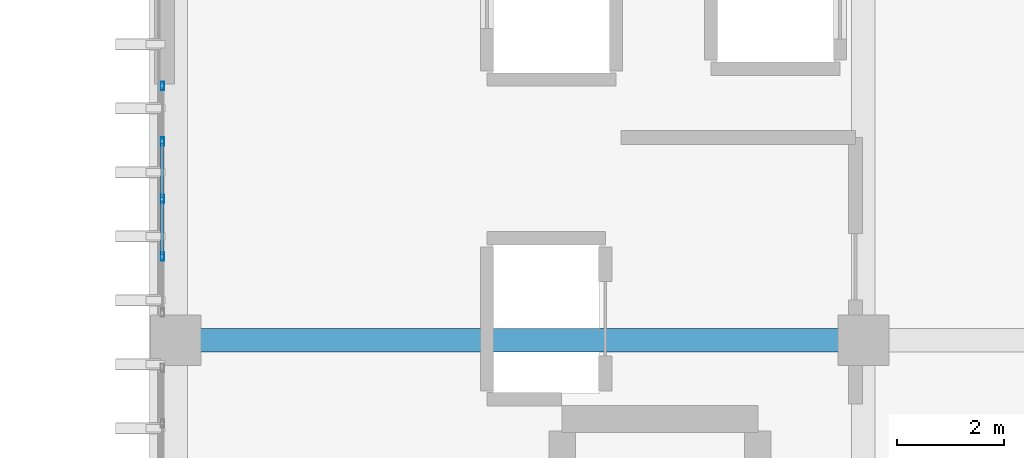
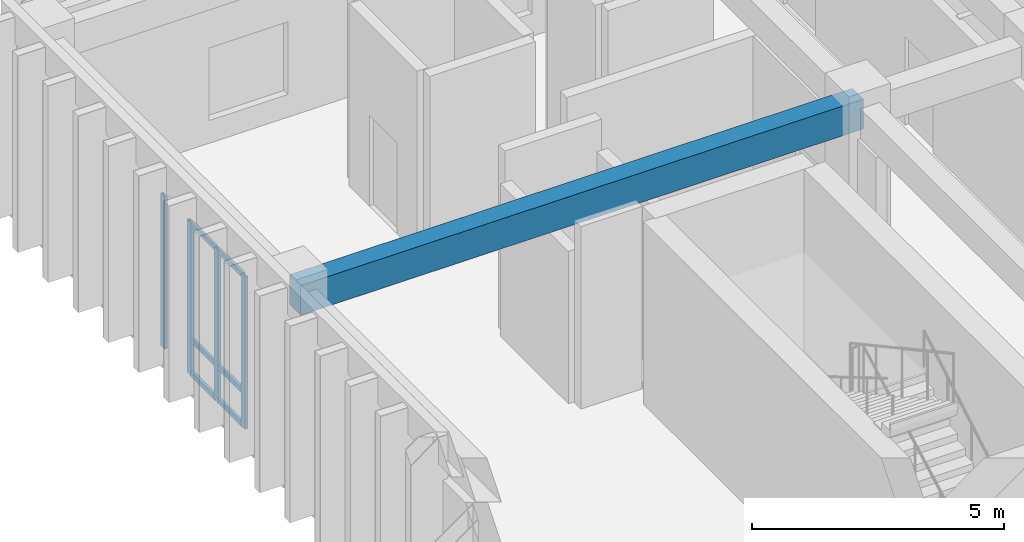
# One storey, part 78 of 133: 10 members, 1 beam, 1 element without a shape of its own.
"""IFC4 building model written with IfcOpenShell, lengths in metres."""

from ifc_helpers import new_model, si_unit, direction, frame, origin, origin_2d, place, context, subcontext, project, spatial, rectangle, hollow_rectangle, extrude, material, layer, layer_set, material_profile, profile_set, type_object, element, aggregate, save


model = new_model("IFC4")

# Units and contexts
model_context = context("Model", 3, precision=1e-05, world=origin(), true_north=direction((0.0, 1.0)))
body_context = subcontext(model_context, "Body", "Model", "MODEL_VIEW")
ifc_project = project(units=[si_unit("LENGTHUNIT", "METRE"), si_unit("AREAUNIT", "SQUARE_METRE"), si_unit("VOLUMEUNIT", "CUBIC_METRE"), si_unit("PLANEANGLEUNIT", "RADIAN"), si_unit("MASSUNIT", "GRAM", prefix="KILO")], contexts=[model_context])

# Site, building, storey
site_placement = place(None, origin())
site = spatial("IfcSite", under=ifc_project, at=site_placement, CompositionType="ELEMENT")
building_placement = place(site_placement, origin())
building = spatial("IfcBuilding", under=site, at=building_placement, Name="Nakhvara Creek Congress Hotel", CompositionType="ELEMENT")
storey_placement = place(building_placement, frame((0.0, 0.0, 11.39990234375)))
storey = spatial("IfcBuildingStorey", under=building, at=storey_placement, Name="L02", CompositionType="ELEMENT", Elevation=11.39990234375)

# Beam
ifc_material_1 = material(Name="Concrete C40/50", Category="concrete")
ifc_material_profile_1 = material_profile(ifc_material_1, rectangle(XDim=0.43994140625, YDim=0.719970703125, at=origin_2d()), Name="RC-BM 440x720", Category="LoadBearing")
ifc_profile_set_1 = profile_set([ifc_material_profile_1], Name="Concrete C40/50")
beam_type = type_object("IfcBeamType", Name="BM-RC-440X720", PredefinedType="BEAM", material=ifc_profile_set_1)
beam_placement = place(storey_placement, frame((149.449951171875, 115.199951171875, 4.06005859375), z_axis=(1.0, 0.0, 0.0), x_axis=(0.0, 1.0, 0.0)))
element("IfcBeam", 1, at=beam_placement, inside=storey, type_object=beam_type, Name="Beam B12-L02-1597", PredefinedType="BEAM", context=body_context, shape_type="SweptSolid", body=[
    extrude(rectangle(XDim=0.43994140625, YDim=0.719970703125, at=origin_2d()), origin(), (0.0, 0.0, 1.0), 12.900146484375),
])

# Curtain wall, members
ifc_material_2 = material(Name="Bronze-anodised aluminium AW-6063-T6 and double-silver low-E glass", Category="aluminium")
ifc_layer = layer(ifc_material_2, 0.199951171875)
ifc_layer_set = layer_set([ifc_layer], Name="Bronze-anodised aluminium AW-6063-T6 and double-silver low-E glass")
curtain_wall_type = type_object("IfcCurtainWallType", Name="CW-HTL-UNIT", PredefinedType="USERDEFINED", material=ifc_layer_set)
curtain_wall_placement = place(storey_placement, origin())
curtain_wall = element("IfcCurtainWall", 2, at=curtain_wall_placement, inside=storey, type_object=curtain_wall_type, Name="Curtain Wall CW148", ObjectType="UNITISED", PredefinedType="USERDEFINED")
ifc_material_3 = material(Name="Bronze-anodised aluminium AW-6063-T6", Category="aluminium")
ifc_material_profile_2 = material_profile(ifc_material_3, hollow_rectangle(XDim=0.06494140625, YDim=0.159912109375, WallThickness=0.00390625, at=origin_2d()), Name="ALU-MULL 65x160x4", Category="LoadBearing")
ifc_profile_set_2 = profile_set([ifc_material_profile_2], Name="Bronze-anodised aluminium AW-6063-T6")
member_type_1 = type_object("IfcMemberType", Name="CW-MULL-160", PredefinedType="MULLION", material=ifc_profile_set_2)
member_1_placement = place(storey_placement, frame((149.199951171875, 116.767578125, 0.0), z_axis=(0.0, 0.0, 1.0), x_axis=(-1.0, 0.0, 0.0)))
member_1 = element("IfcMember", 3, at=member_1_placement, type_object=member_type_1, Name="CW148 mullion 2", PredefinedType="MULLION", context=body_context, shape_type="SweptSolid", body=[
    extrude(hollow_rectangle(XDim=0.06494140625, YDim=0.159912109375, WallThickness=0.00390625, at=origin_2d()), origin(), (0.0, 0.0, 1.0), 3.692138671875),
])
member_2_placement = place(storey_placement, frame((149.199951171875, 117.844970703125, 0.0), z_axis=(0.0, 0.0, 1.0), x_axis=(-1.0, 0.0, 0.0)))
member_2 = element("IfcMember", 4, at=member_2_placement, type_object=member_type_1, Name="CW148 mullion 3", PredefinedType="MULLION", context=body_context, shape_type="SweptSolid", body=[
    extrude(hollow_rectangle(XDim=0.06494140625, YDim=0.159912109375, WallThickness=0.00390625, at=origin_2d()), origin(), (0.0, 0.0, 1.0), 3.692138671875),
])
member_3_placement = place(storey_placement, frame((149.199951171875, 118.922607421875, 0.0), z_axis=(0.0, 0.0, 1.0), x_axis=(-1.0, 0.0, 0.0)))
member_3 = element("IfcMember", 5, at=member_3_placement, type_object=member_type_1, Name="CW148 mullion 4", PredefinedType="MULLION", context=body_context, shape_type="SweptSolid", body=[
    extrude(hollow_rectangle(XDim=0.06494140625, YDim=0.159912109375, WallThickness=0.00390625, at=origin_2d()), origin(), (0.0, 0.0, 1.0), 3.692138671875),
])
member_4_placement = place(storey_placement, frame((149.199951171875, 119.967529296875, 0.0), z_axis=(0.0, 0.0, 1.0), x_axis=(-1.0, 0.0, 0.0)))
member_4 = element("IfcMember", 6, at=member_4_placement, type_object=member_type_1, Name="CW148 mullion 5", PredefinedType="MULLION", context=body_context, shape_type="SweptSolid", body=[
    extrude(hollow_rectangle(XDim=0.06494140625, YDim=0.159912109375, WallThickness=0.00390625, at=origin_2d()), origin(), (0.0, 0.0, 1.0), 3.692138671875),
])
ifc_material_profile_3 = material_profile(ifc_material_3, hollow_rectangle(XDim=0.06494140625, YDim=0.1201171875, WallThickness=0.00390625, at=origin_2d()), Name="ALU-TRAN 65x120x4", Category="LoadBearing")
ifc_profile_set_3 = profile_set([ifc_material_profile_3], Name="Bronze-anodised aluminium AW-6063-T6")
member_type_2 = type_object("IfcMemberType", Name="CW-TRAN-120", PredefinedType="USERDEFINED", material=ifc_profile_set_3)
member_5_placement = place(storey_placement, frame((149.199951171875, 116.800048828125, 0.03271484375), z_axis=(0.0, 1.0, 0.0), x_axis=(-1.0, 0.0, 0.0)))
member_5 = element("IfcMember", 7, at=member_5_placement, type_object=member_type_2, Name="CW148 transom 2.1", ObjectType="TRANSOM", PredefinedType="USERDEFINED", context=body_context, shape_type="SweptSolid", body=[
    extrude(hollow_rectangle(XDim=0.06494140625, YDim=0.1201171875, WallThickness=0.00390625, at=origin_2d()), origin(), (0.0, 0.0, 1.0), 1.012451171875),
])
member_6_placement = place(storey_placement, frame((149.199951171875, 116.800048828125, 0.85009765625), z_axis=(0.0, 1.0, 0.0), x_axis=(-1.0, 0.0, 0.0)))
member_6 = element("IfcMember", 8, at=member_6_placement, type_object=member_type_2, Name="CW148 transom 2.2", ObjectType="TRANSOM", PredefinedType="USERDEFINED", context=body_context, shape_type="SweptSolid", body=[
    extrude(hollow_rectangle(XDim=0.06494140625, YDim=0.1201171875, WallThickness=0.00390625, at=origin_2d()), origin(), (0.0, 0.0, 1.0), 1.012451171875),
])
member_7_placement = place(storey_placement, frame((149.199951171875, 116.800048828125, 3.65966796875), z_axis=(0.0, 1.0, 0.0), x_axis=(-1.0, 0.0, 0.0)))
member_7 = element("IfcMember", 9, at=member_7_placement, type_object=member_type_2, Name="CW148 transom 2.3", ObjectType="TRANSOM", PredefinedType="USERDEFINED", context=body_context, shape_type="SweptSolid", body=[
    extrude(hollow_rectangle(XDim=0.06494140625, YDim=0.1201171875, WallThickness=0.00390625, at=origin_2d()), origin(), (0.0, 0.0, 1.0), 1.012451171875),
])
member_8_placement = place(storey_placement, frame((149.199951171875, 117.87744140625, 0.03271484375), z_axis=(0.0, 1.0, 0.0), x_axis=(-1.0, 0.0, 0.0)))
member_8 = element("IfcMember", 10, at=member_8_placement, type_object=member_type_2, Name="CW148 transom 3.1", ObjectType="TRANSOM", PredefinedType="USERDEFINED", context=body_context, shape_type="SweptSolid", body=[
    extrude(hollow_rectangle(XDim=0.06494140625, YDim=0.1201171875, WallThickness=0.00390625, at=origin_2d()), origin(), (0.0, 0.0, 1.0), 1.012451171875),
])
member_9_placement = place(storey_placement, frame((149.199951171875, 117.87744140625, 0.85009765625), z_axis=(0.0, 1.0, 0.0), x_axis=(-1.0, 0.0, 0.0)))
member_9 = element("IfcMember", 11, at=member_9_placement, type_object=member_type_2, Name="CW148 transom 3.2", ObjectType="TRANSOM", PredefinedType="USERDEFINED", context=body_context, shape_type="SweptSolid", body=[
    extrude(hollow_rectangle(XDim=0.06494140625, YDim=0.1201171875, WallThickness=0.00390625, at=origin_2d()), origin(), (0.0, 0.0, 1.0), 1.012451171875),
])
member_10_placement = place(storey_placement, frame((149.199951171875, 117.87744140625, 3.65966796875), z_axis=(0.0, 1.0, 0.0), x_axis=(-1.0, 0.0, 0.0)))
member_10 = element("IfcMember", 12, at=member_10_placement, type_object=member_type_2, Name="CW148 transom 3.3", ObjectType="TRANSOM", PredefinedType="USERDEFINED", context=body_context, shape_type="SweptSolid", body=[
    extrude(hollow_rectangle(XDim=0.06494140625, YDim=0.1201171875, WallThickness=0.00390625, at=origin_2d()), origin(), (0.0, 0.0, 1.0), 1.012451171875),
])
aggregate(curtain_wall, [member_1, member_2, member_3, member_4, member_5, member_6, member_7, member_8, member_9, member_10])

save(model, "model.ifc")
